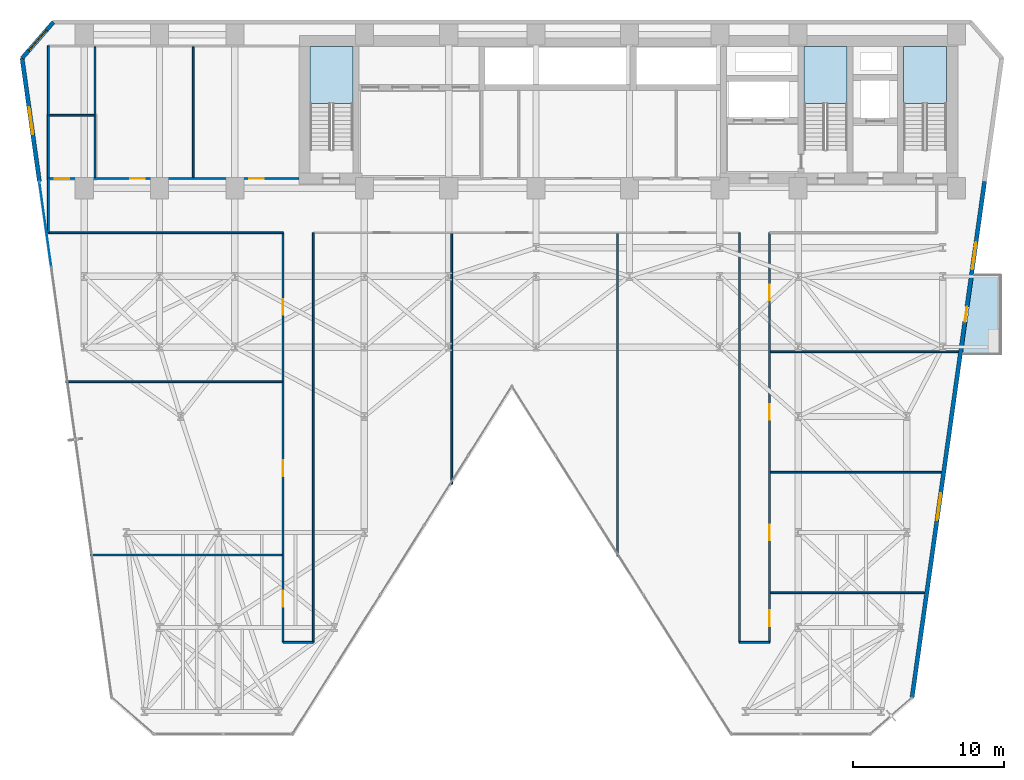
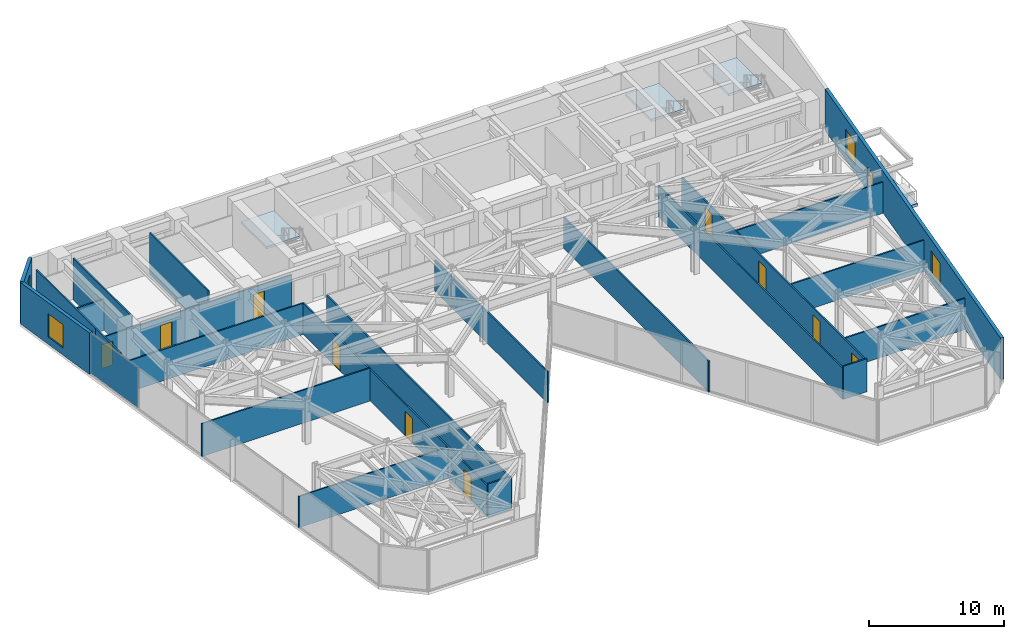
# One storey, part 19 of 25: 23 walls, 11 doors, 4 slabs, 4 windows, 1 plate, 15 openings, 4 elements without a shape of their own.
"""IFC4 building model written with IfcOpenShell, lengths in metres."""

import ifcopenshell
import ifcopenshell.guid

model = None  # the IFC model being written
_history = None  # IfcOwnerHistory: only IFC2X3 demands one
_inside = {}  # id of a spatial element -> (the spatial element, [elements in it])
_under = {}  # id of a project, library or spatial element -> (it, [spatial elements below it])
_declared = {}  # id of a project -> (the project, [libraries it declares])
_typed = {}  # id of a type object -> (the type object, [elements of that type])
_made_of = {}  # id of a material, layer set ... -> (it, [elements and type objects made of it])


def new_model(schema):
    """Start an empty IFC model of exactly this schema.

    Asked for "IFC4X3", IfcOpenShell would pick the latest addendum, in which some entities
    have other attributes; the version numbers below select the first issue.
    IFC2X3 requires an IfcOwnerHistory on every rooted entity: one is made here for all.
    """
    global model, _history
    if schema == "IFC4X3":
        model = ifcopenshell.file(schema_version=(4, 3, 0, 0))
    else:
        model = ifcopenshell.file(schema=schema)
    _inside.clear()
    _under.clear()
    _declared.clear()
    _typed.clear()
    _made_of.clear()
    _history = None
    if model.schema == "IFC2X3":
        org = make("IfcOrganization", Name="unknown")
        user = make(
            "IfcPersonAndOrganization",
            ThePerson=make("IfcPerson", FamilyName="unknown"),
            TheOrganization=org,
        )
        app = make(
            "IfcApplication",
            ApplicationDeveloper=org,
            Version="unknown",
            ApplicationFullName="unknown",
            ApplicationIdentifier="unknown",
        )
        _history = make(
            "IfcOwnerHistory",
            OwningUser=user,
            OwningApplication=app,
            ChangeAction="ADDED",
            CreationDate=0,
        )
    return model


def make(cls, **values):
    """One entity of the class cls with the attributes given. An attribute that is None is left unset."""
    return model.create_entity(
        cls, **{name: value for name, value in values.items() if value is not None}
    )


def rooted(cls, **values):
    """An entity with a GlobalId (a new one), such as an element, a storey or a relation."""
    return make(cls, GlobalId=ifcopenshell.guid.new(), OwnerHistory=_history, **values)


def si_unit(unit_type, name, prefix=None):
    """IfcSIUnit, for example si_unit("LENGTHUNIT", "METRE", prefix="MILLI")."""
    return make("IfcSIUnit", UnitType=unit_type, Prefix=prefix, Name=name)


def assignment(units):
    """IfcUnitAssignment: the units of a project."""
    return None if units is None else make("IfcUnitAssignment", Units=units)


def point(xyz):
    """IfcCartesianPoint."""
    return None if xyz is None else make("IfcCartesianPoint", Coordinates=xyz)


def direction(xyz):
    """IfcDirection."""
    return None if xyz is None else make("IfcDirection", DirectionRatios=xyz)


def frame(location, z_axis=None, x_axis=None):
    """IfcAxis2Placement3D, a coordinate frame: its origin and axes. An axis left out is left unset."""
    return make(
        "IfcAxis2Placement3D",
        Location=point(location),
        Axis=direction(z_axis),
        RefDirection=direction(x_axis),
    )


def frame_2d(location, x_axis=None):
    """IfcAxis2Placement2D, a coordinate frame in the plane: its origin and x axis."""
    return make(
        "IfcAxis2Placement2D", Location=point(location), RefDirection=direction(x_axis)
    )


def origin():
    """The frame at (0, 0, 0) with its axes left unset."""
    return frame((0.0, 0.0, 0.0))


def origin_2d():
    """The frame at (0, 0) in the plane with its x axis left unset."""
    return frame_2d((0.0, 0.0))


def place(relative_to, where):
    """IfcLocalPlacement: puts the frame where relative to a parent placement (None: the world)."""
    return make(
        "IfcLocalPlacement", PlacementRelTo=relative_to, RelativePlacement=where
    )


def context(
    kind, dimensions, precision=None, world=None, true_north=None, identifier=None
):
    """IfcGeometricRepresentationContext, for example the 3D "Model" context."""
    return make(
        "IfcGeometricRepresentationContext",
        ContextIdentifier=identifier,
        ContextType=kind,
        CoordinateSpaceDimension=dimensions,
        Precision=precision,
        WorldCoordinateSystem=world,
        TrueNorth=true_north,
    )


def subcontext(parent, identifier, kind, view, scale=None):
    """IfcGeometricRepresentationSubContext, for example "Body" below "Model"."""
    return make(
        "IfcGeometricRepresentationSubContext",
        ContextIdentifier=identifier,
        ContextType=kind,
        ParentContext=parent,
        TargetScale=scale,
        TargetView=view,
    )


def project(units=None, contexts=None):
    """IfcProject with its units and contexts."""
    return rooted(
        "IfcProject",
        Name="project",
        RepresentationContexts=contexts,
        UnitsInContext=assignment(units),
    )


def spatial(cls, under=None, at=None, **own):
    """A site, building, storey or space (cls), placed at a placement, below another one or the project."""
    s = rooted(cls, ObjectPlacement=at, **own)
    if under is not None:
        _under.setdefault(under.id(), (under, []))[1].append(s)
    return s


def polyline(points):
    """IfcPolyline through the points."""
    return make("IfcPolyline", Points=[point(p) for p in points])


def profile(cls, at=None, kind="AREA", **sizes):
    """A parametric profile (cls). Its sizes go by their IFC names, for example OverallWidth=200.0."""
    return make(cls, ProfileType=kind, Position=at, **sizes)


def rectangle(**sizes):
    """IfcRectangleProfileDef."""
    return profile("IfcRectangleProfileDef", **sizes)


def outline(outer, holes=None, kind="AREA"):
    """IfcArbitraryClosedProfileDef: a profile drawn as a closed curve; with holes, ...WithVoids."""
    if holes is None:
        return make("IfcArbitraryClosedProfileDef", ProfileType=kind, OuterCurve=outer)
    return make(
        "IfcArbitraryProfileDefWithVoids",
        ProfileType=kind,
        OuterCurve=outer,
        InnerCurves=holes,
    )


def extrude(swept, where, along, depth):
    """IfcExtrudedAreaSolid: the profile swept, set in the frame where, extruded along a direction by depth."""
    return make(
        "IfcExtrudedAreaSolid",
        SweptArea=swept,
        Position=where,
        ExtrudedDirection=direction(along),
        Depth=depth,
    )


def shape(context_of_items, identifier, shape_type, items):
    """IfcShapeRepresentation: the items that make up one representation, for example the "Body"."""
    return make(
        "IfcShapeRepresentation",
        ContextOfItems=context_of_items,
        RepresentationIdentifier=identifier,
        RepresentationType=shape_type,
        Items=items,
    )


def material(Name=None, Category=None):
    """IfcMaterial."""
    return make("IfcMaterial", Name=Name, Category=Category)


def layer(
    of_material, thickness, ventilated=None, Name=None, Category=None, Priority=None
):
    """IfcMaterialLayer: one layer of a wall or slab, of a material (None: an air gap)."""
    return make(
        "IfcMaterialLayer",
        Material=of_material,
        LayerThickness=thickness,
        IsVentilated=ventilated,
        Name=Name,
        Category=Category,
        Priority=Priority,
    )


def layer_set(layers, Name=None):
    """IfcMaterialLayerSet."""
    return make("IfcMaterialLayerSet", MaterialLayers=layers, LayerSetName=Name)


def made_of(thing, what):
    """Note that an element or type object is made of a material, layer set ...; save() writes the relation."""
    if what is not None:
        _made_of.setdefault(what.id(), (what, []))[1].append(thing)
    return thing


def type_object(cls, material=None, **own):
    """A type object (cls), such as IfcWallType, which elements share."""
    return made_of(rooted(cls, **own), material)


def element(
    cls,
    number,
    at=None,
    inside=None,
    cuts=None,
    type_object=None,
    material=None,
    context=None,
    identifier="Body",
    shape_type=None,
    held_by="IfcProductDefinitionShape",
    body=None,
    shapes=None,
    **own,
):
    """One element of the class cls, such as IfcWall. Its Tag is "e" and its number.

    at: its placement. inside: the storey or other place that contains it. cuts: it is an
    opening in that element (IfcRelVoidsElement). A single representation is given by context,
    identifier, shape_type and body (its items); several are given by shapes. held_by: the class
    of the entity that holds the representations. save() writes the other relations.
    """
    e = rooted(cls, Tag="e%d" % number, ObjectPlacement=at, **own)
    if body is not None:
        shapes = [shape(context, identifier, shape_type, body)]
    if shapes is not None:
        e.Representation = make(held_by, Representations=shapes)
    if inside is not None:
        _inside.setdefault(inside.id(), (inside, []))[1].append(e)
    if cuts is not None:
        rooted(
            "IfcRelVoidsElement", RelatingBuildingElement=cuts, RelatedOpeningElement=e
        )
    if type_object is not None:
        _typed.setdefault(type_object.id(), (type_object, []))[1].append(e)
    return made_of(e, material)


def fill(opening, filler):
    """IfcRelFillsElement: the door or window that sits in an opening."""
    return rooted(
        "IfcRelFillsElement",
        RelatingOpeningElement=opening,
        RelatedBuildingElement=filler,
    )


def aggregate(whole, parts):
    """IfcRelAggregates: a whole, such as a stair, and the parts it consists of."""
    return rooted("IfcRelAggregates", RelatingObject=whole, RelatedObjects=parts)


def save(model, path):
    """Write the relations noted so far, then the file.

    IfcRelAggregates (storeys below a building ...), IfcRelContainedInSpatialStructure (elements
    in a storey), IfcRelDefinesByType, IfcRelAssociatesMaterial and IfcRelDeclares: one each for
    every whole, place, type object, material and project.
    """
    for whole, parts in _under.values():
        aggregate(whole, parts)
    for where, things in _inside.values():
        rooted(
            "IfcRelContainedInSpatialStructure",
            RelatedElements=things,
            RelatingStructure=where,
        )
    for kind, things in _typed.values():
        rooted("IfcRelDefinesByType", RelatedObjects=things, RelatingType=kind)
    for what, things in _made_of.values():
        rooted("IfcRelAssociatesMaterial", RelatedObjects=things, RelatingMaterial=what)
    for by, libraries in _declared.values():
        rooted("IfcRelDeclares", RelatingContext=by, RelatedDefinitions=libraries)
    model.write(path)


model = new_model("IFC4")

# Units and contexts
model_context = context("Model", 3, precision=1e-05, world=origin(), true_north=direction((0.0, 1.0)))
body_context = subcontext(model_context, "Body", "Model", "MODEL_VIEW")
ifc_project = project(units=[si_unit("LENGTHUNIT", "METRE"), si_unit("AREAUNIT", "SQUARE_METRE"), si_unit("VOLUMEUNIT", "CUBIC_METRE"), si_unit("PLANEANGLEUNIT", "RADIAN"), si_unit("MASSUNIT", "GRAM", prefix="KILO")], contexts=[model_context])

# Site, building, storey
site_placement = place(None, origin())
site = spatial("IfcSite", under=ifc_project, at=site_placement, CompositionType="ELEMENT")
building_placement = place(site_placement, origin())
building = spatial("IfcBuilding", under=site, at=building_placement, Name="Kravanh Interchange Tower", CompositionType="ELEMENT")
storey_placement = place(building_placement, frame((0.0, 0.0, 41.5)))
storey = spatial("IfcBuildingStorey", under=building, at=storey_placement, Name="L09", CompositionType="ELEMENT", Elevation=41.5)

# Stair, slab
ifc_material_1 = material(Name="Concrete C50/60", Category="concrete")
stair_type = type_object("IfcStairType", Name="Core Fire Exit Dogleg Stair Concrete C50/60", PredefinedType="HALF_TURN_STAIR", material=ifc_material_1)
stair_1_placement = place(storey_placement, origin())
stair_1 = element("IfcStair", 1, at=stair_1_placement, inside=storey, type_object=stair_type, Name="L09 Exit Stair ST1", PredefinedType="HALF_TURN_STAIR")
ifc_material_2 = material(Name="Concrete C50/60", Category="concrete")
ifc_layer_1 = layer(ifc_material_2, 0.199951171875)
ifc_layer_set_1 = layer_set([ifc_layer_1], Name="Concrete C50/60 Stair Half-Landing Slab 200mm")
slab_type_1 = type_object("IfcSlabType", Name="Concrete C50/60 Stair Half-Landing Slab 200mm", PredefinedType="LANDING", material=ifc_layer_set_1)
slab_1_placement = place(storey_placement, frame((0.0, 0.0, 1.800048828125)))
slab_1 = element("IfcSlab", 2, at=slab_1_placement, type_object=slab_type_1, Name="ST1 landing 1", PredefinedType="LANDING", context=body_context, shape_type="SweptSolid", body=[
    extrude(outline(polyline([(65.85009765625, 42.97998046875), (65.85009765625, 46.75), (63.0, 46.75), (63.0, 42.97998046875), (65.85009765625, 42.97998046875)])), origin(), (0.0, 0.0, 1.0), 0.199951171875),
])
aggregate(stair_1, [slab_1])

stair_2_placement = place(storey_placement, origin())
stair_2 = element("IfcStair", 3, at=stair_2_placement, inside=storey, type_object=stair_type, Name="L09 Exit Stair ST2", PredefinedType="HALF_TURN_STAIR")
slab_2_placement = place(storey_placement, frame((0.0, 0.0, 1.800048828125)))
slab_2 = element("IfcSlab", 4, at=slab_2_placement, type_object=slab_type_1, Name="ST2 landing 1", PredefinedType="LANDING", context=body_context, shape_type="SweptSolid", body=[
    extrude(outline(polyline([(59.25, 42.97998046875), (59.25, 46.75), (56.39990234375, 46.75), (56.39990234375, 42.97998046875), (59.25, 42.97998046875)])), origin(), (0.0, 0.0, 1.0), 0.199951171875),
])
aggregate(stair_2, [slab_2])

stair_3_placement = place(storey_placement, origin())
stair_3 = element("IfcStair", 5, at=stair_3_placement, inside=storey, type_object=stair_type, Name="L09 Exit Stair ST3", PredefinedType="HALF_TURN_STAIR")
slab_3_placement = place(storey_placement, frame((0.0, 0.0, 1.800048828125)))
slab_3 = element("IfcSlab", 6, at=slab_3_placement, type_object=slab_type_1, Name="ST3 landing 1", PredefinedType="LANDING", context=body_context, shape_type="SweptSolid", body=[
    extrude(outline(polyline([(26.449951171875, 42.97998046875), (26.449951171875, 46.75), (23.60009765625, 46.75), (23.60009765625, 42.97998046875), (26.449951171875, 42.97998046875)])), origin(), (0.0, 0.0, 1.0), 0.199951171875),
])
aggregate(stair_3, [slab_3])

# Slab
ifc_material_3 = material(Name="Concrete C50/60", Category="concrete")
ifc_layer_2 = layer(ifc_material_3, 0.199951171875)
ifc_layer_set_2 = layer_set([ifc_layer_2], Name="Planted Tree Balcony Slab Concrete C50/60 200mm")
slab_type_2 = type_object("IfcSlabType", Name="Planted Tree Balcony Slab Concrete C50/60 200mm", PredefinedType="USERDEFINED", material=ifc_layer_set_2)
slab_4_placement = place(storey_placement, frame((0.0, 0.0, -0.260009765625)))
element("IfcSlab", 7, at=slab_4_placement, inside=storey, type_object=slab_type_2, Name="L09 East Tree Planter Balcony Slab", ObjectType="BALCONY", PredefinedType="USERDEFINED", context=body_context, shape_type="SweptSolid", body=[
    extrude(outline(polyline([(69.485107421875, 31.669921875), (69.485107421875, 26.27001953125), (66.890869140625, 26.27001953125), (67.64990234375, 31.669921875), (69.485107421875, 31.669921875)])), origin(), (0.0, 0.0, 1.0), 0.260009765625),
])

# Curtain wall, plate
ifc_material_4 = material(Name="Anodised Bronze Aluminium", Category="aluminium")
ifc_layer_3 = layer(ifc_material_4, 0.179931640625)
ifc_layer_set_3 = layer_set([ifc_layer_3], Name="Unitised Curtain Wall System CW-Z1 Lower Office")
curtain_wall_type = type_object("IfcCurtainWallType", Name="Unitised Curtain Wall System CW-Z1 Lower Office", PredefinedType="NOTDEFINED", material=ifc_layer_set_3)
curtain_wall_placement = place(storey_placement, origin())
curtain_wall = element("IfcCurtainWall", 8, at=curtain_wall_placement, inside=storey, type_object=curtain_wall_type, Name="L09 Unitised Curtain Wall CW-L09-01", PredefinedType="NOTDEFINED")
ifc_material_5 = material(Name="Low-E Laminated Architectural Glass", Category="glass")
ifc_layer_4 = layer(ifc_material_5, 0.028076171875)
ifc_layer_set_4 = layer_set([ifc_layer_4], Name="Solar-Control Double Glazing 28mm")
plate_type = type_object("IfcPlateType", Name="Solar-Control Double Glazing 28mm", PredefinedType="CURTAIN_PANEL", material=ifc_layer_set_4)
plate_placement = place(storey_placement, frame((6.028564453125, 34.927490234375, 0.06005859375), z_axis=(0.0, 0.0, 1.0), x_axis=(-0.139176538065, 0.990267585682, 0.0)))
plate = element("IfcPlate", 9, at=plate_placement, type_object=plate_type, Name="CW-Z1 panel 6.1", PredefinedType="CURTAIN_PANEL", context=body_context, shape_type="SweptSolid", body=[
    extrude(rectangle(XDim=5.66162109375, YDim=0.028076171875, at=origin_2d()), origin(), (0.0, 0.0, 1.0), 3.6201171875),
])
aggregate(curtain_wall, [plate])

# Wall, openings, doors
ifc_material_6 = material(Name="Double Acoustic Gypsum Board and Mineral Wool")
ifc_layer_5 = layer(ifc_material_6, 0.1201171875)
ifc_layer_set_5 = layer_set([ifc_layer_5], Name="Acoustic Office Drywall Partition 120mm")
wall_type_1 = type_object("IfcWallType", Name="Acoustic Office Drywall Partition 120mm", PredefinedType="PARTITIONING", material=ifc_layer_set_5)
wall_1_placement = place(storey_placement, frame((6.219970703125, 38.0, 0.0), z_axis=(0.0, 0.0, 1.0), x_axis=(1.0, 0.0, 0.0)))
wall_1 = element("IfcWall", 10, at=wall_1_placement, inside=storey, type_object=wall_type_1, Name="L09 Restroom Corridor Wall 7", PredefinedType="PARTITIONING", context=body_context, shape_type="SweptSolid", body=[
    extrude(rectangle(XDim=16.630126953125, YDim=0.1201171875, at=frame_2d((8.31494140625, 0.0))), origin(), (0.0, 0.0, 1.0), 2.81298828125),
])
opening_1_placement = place(wall_1_placement, frame((0.424072265625, 0.0, 0.0)))
opening_1 = element("IfcOpeningElement", 11, at=opening_1_placement, cuts=wall_1, Name="Opening D-95", PredefinedType="OPENING", context=body_context, shape_type="SweptSolid", body=[
    extrude(rectangle(XDim=0.949951171875, YDim=2.14990234375, at=frame_2d((0.47509765625, 1.074951171875))), frame((0.0, 0.070068359375, 0.0), z_axis=(0.0, -1.0, 0.0), x_axis=(1.0, 0.0, 0.0)), (0.0, 0.0, 1.0), 0.14013671875),
])
opening_2_placement = place(wall_1_placement, frame((5.444091796875, 0.0, 0.0)))
opening_2 = element("IfcOpeningElement", 12, at=opening_2_placement, cuts=wall_1, Name="Opening D-95", PredefinedType="OPENING", context=body_context, shape_type="SweptSolid", body=[
    extrude(rectangle(XDim=0.949951171875, YDim=2.14990234375, at=frame_2d((0.47509765625, 1.074951171875))), frame((0.0, 0.070068359375, 0.0), z_axis=(0.0, -1.0, 0.0), x_axis=(1.0, 0.0, 0.0)), (0.0, 0.0, 1.0), 0.14013671875),
])
opening_3_placement = place(wall_1_placement, frame((13.343994140625, 0.0, 0.0)))
opening_3 = element("IfcOpeningElement", 13, at=opening_3_placement, cuts=wall_1, Name="Opening D-95", PredefinedType="OPENING", context=body_context, shape_type="SweptSolid", body=[
    extrude(rectangle(XDim=0.949951171875, YDim=2.14990234375, at=frame_2d((0.47509765625, 1.074951171875))), frame((0.0, 0.070068359375, 0.0), z_axis=(0.0, -1.0, 0.0), x_axis=(1.0, 0.0, 0.0)), (0.0, 0.0, 1.0), 0.14013671875),
])
ifc_material_7 = material(Name="Laminate Solid-Core Timber", Category="wood")
door_type_1 = type_object("IfcDoorType", Name="Accessible Restroom Door 950x2150", OperationType="NOTDEFINED", PredefinedType="DOOR", material=ifc_material_7)
door_1_placement = place(opening_1_placement, origin())
door_1 = element("IfcDoor", 14, at=door_1_placement, inside=storey, type_object=door_type_1, Name="L09 Accessible WC Door", OperationType="SINGLE_SWING_RIGHT", OverallHeight=2.14990234375, OverallWidth=0.949951171875, PredefinedType="DOOR", context=body_context, shape_type="SweptSolid", body=[
    extrude(rectangle(XDim=0.949951171875, YDim=2.14990234375, at=frame_2d((0.47509765625, 1.074951171875))), frame((0.0, 0.02490234375, 0.0), z_axis=(0.0, -1.0, 0.0), x_axis=(1.0, 0.0, 0.0)), (0.0, 0.0, 1.0), 0.050048828125),
])
fill(opening_1, door_1)
door_2_placement = place(opening_2_placement, origin())
door_2 = element("IfcDoor", 15, at=door_2_placement, inside=storey, type_object=door_type_1, Name="L09 Female WC Door", OperationType="SINGLE_SWING_LEFT", OverallHeight=2.14990234375, OverallWidth=0.949951171875, PredefinedType="DOOR", context=body_context, shape_type="SweptSolid", body=[
    extrude(rectangle(XDim=0.949951171875, YDim=2.14990234375, at=frame_2d((0.47509765625, 1.074951171875))), frame((0.0, 0.02490234375, 0.0), z_axis=(0.0, -1.0, 0.0), x_axis=(1.0, 0.0, 0.0)), (0.0, 0.0, 1.0), 0.050048828125),
])
fill(opening_2, door_2)
door_3_placement = place(opening_3_placement, origin())
door_3 = element("IfcDoor", 16, at=door_3_placement, inside=storey, type_object=door_type_1, Name="L09 Male WC Door", OperationType="SINGLE_SWING_RIGHT", OverallHeight=2.14990234375, OverallWidth=0.949951171875, PredefinedType="DOOR", context=body_context, shape_type="SweptSolid", body=[
    extrude(rectangle(XDim=0.949951171875, YDim=2.14990234375, at=frame_2d((0.47509765625, 1.074951171875))), frame((0.0, 0.02490234375, 0.0), z_axis=(0.0, -1.0, 0.0), x_axis=(1.0, 0.0, 0.0)), (0.0, 0.0, 1.0), 0.050048828125),
])
fill(opening_3, door_3)

# Walls
wall_2_placement = place(storey_placement, frame((6.219970703125, 38.0, 0.0), z_axis=(0.0, 0.0, 1.0), x_axis=(0.0, 1.0, 0.0)))
element("IfcWall", 17, at=wall_2_placement, inside=storey, type_object=wall_type_1, Name="L09 Restroom West Enclosure 8", PredefinedType="PARTITIONING", context=body_context, shape_type="SweptSolid", body=[
    extrude(rectangle(XDim=8.800048828125, YDim=0.1201171875, at=frame_2d((4.39990234375, 0.0))), origin(), (0.0, 0.0, 1.0), 3.739990234375),
])
for number, where, z_axis, x_axis, name in (
    (18, (9.320068359375, 38.068115234375, 0.0), (0.0, 0.0, 1.0), (0.0, 1.0, 0.0), "L09 Interior Partition 10"),
    (19, (15.840087890625, 38.068115234375, 0.0), (0.0, 0.0, 1.0), (0.0, 1.0, 0.0), "L09 Interior Partition 11"),
):
    element("IfcWall", number, at=place(storey_placement, frame(where, z_axis=z_axis, x_axis=x_axis)), inside=storey, type_object=wall_type_1, Name=name, PredefinedType="PARTITIONING", context=body_context, shape_type="SweptSolid", body=[
        extrude(rectangle(XDim=8.663818359375, YDim=0.1201171875, at=frame_2d((4.33203125, 0.0))), origin(), (0.0, 0.0, 1.0), 3.739990234375),
    ])
wall_3_placement = place(storey_placement, frame((6.2880859375, 42.199951171875, 0.0), z_axis=(0.0, 0.0, 1.0), x_axis=(1.0, 0.0, 0.0)))
element("IfcWall", 20, at=wall_3_placement, inside=storey, type_object=wall_type_1, Name="L09 Interior Partition 12", PredefinedType="PARTITIONING", context=body_context, shape_type="SweptSolid", body=[
    extrude(rectangle(XDim=2.9638671875, YDim=0.1201171875, at=frame_2d((1.48193359375, 0.0))), origin(), (0.0, 0.0, 1.0), 2.81298828125),
])
wall_4_placement = place(storey_placement, frame((6.219970703125, 34.39990234375, 0.0), z_axis=(0.0, 0.0, 1.0), x_axis=(1.0, 0.0, 0.0)))
element("IfcWall", 21, at=wall_4_placement, inside=storey, type_object=wall_type_1, Name="L09 Interior Partition 13", PredefinedType="PARTITIONING", context=body_context, shape_type="SweptSolid", body=[
    extrude(rectangle(XDim=15.580078125, YDim=0.1201171875, at=frame_2d((7.7900390625, 0.0))), origin(), (0.0, 0.0, 1.0), 2.81298828125),
])
wall_5_placement = place(storey_placement, frame((6.219970703125, 34.39990234375, 0.0), z_axis=(0.0, 0.0, 1.0), x_axis=(0.0, 1.0, 0.0)))
element("IfcWall", 22, at=wall_5_placement, inside=storey, type_object=wall_type_1, Name="L09 Interior Partition 16", PredefinedType="PARTITIONING", context=body_context, shape_type="SweptSolid", body=[
    extrude(rectangle(XDim=3.650146484375, YDim=0.1201171875, at=frame_2d((1.8251953125, 0.0))), origin(), (0.0, 0.0, 1.0), 3.739990234375),
])

# Wall, openings, doors
wall_6_placement = place(storey_placement, frame((21.800048828125, 7.199951171875, 0.0), z_axis=(0.0, 0.0, 1.0), x_axis=(0.0, 1.0, 0.0)))
wall_6 = element("IfcWall", 23, at=wall_6_placement, inside=storey, type_object=wall_type_1, Name="L09 Interior Partition 18", PredefinedType="PARTITIONING", context=body_context, shape_type="SweptSolid", body=[
    extrude(rectangle(XDim=27.199951171875, YDim=0.1201171875, at=frame_2d((13.60009765625, 0.0))), origin(), (0.0, 0.0, 1.0), 2.81298828125),
])
opening_4_placement = place(wall_6_placement, frame((2.375, 0.0, 0.0)))
opening_4 = element("IfcOpeningElement", 24, at=opening_4_placement, cuts=wall_6, Name="Opening D-105", PredefinedType="OPENING", context=body_context, shape_type="SweptSolid", body=[
    extrude(rectangle(XDim=1.050048828125, YDim=2.199951171875, at=frame_2d((0.52490234375, 1.10009765625))), frame((0.0, 0.070068359375, 0.0), z_axis=(0.0, -1.0, 0.0), x_axis=(1.0, 0.0, 0.0)), (0.0, 0.0, 1.0), 0.14013671875),
])
opening_5_placement = place(wall_6_placement, frame((11.02490234375, 0.0, 0.0)))
opening_5 = element("IfcOpeningElement", 25, at=opening_5_placement, cuts=wall_6, Name="Opening D-105", PredefinedType="OPENING", context=body_context, shape_type="SweptSolid", body=[
    extrude(rectangle(XDim=1.050048828125, YDim=2.199951171875, at=frame_2d((0.52490234375, 1.10009765625))), frame((0.0, 0.070068359375, 0.0), z_axis=(0.0, -1.0, 0.0), x_axis=(1.0, 0.0, 0.0)), (0.0, 0.0, 1.0), 0.14013671875),
])
opening_6_placement = place(wall_6_placement, frame((21.740234375, 0.0, 0.0)))
opening_6 = element("IfcOpeningElement", 26, at=opening_6_placement, cuts=wall_6, Name="Opening D-105", PredefinedType="OPENING", context=body_context, shape_type="SweptSolid", body=[
    extrude(rectangle(XDim=1.050048828125, YDim=2.199951171875, at=frame_2d((0.52490234375, 1.10009765625))), frame((0.0, 0.070068359375, 0.0), z_axis=(0.0, -1.0, 0.0), x_axis=(1.0, 0.0, 0.0)), (0.0, 0.0, 1.0), 0.14013671875),
])
ifc_material_8 = material(Name="Acoustic Glazed Oak and Aluminium", Category="aluminium")
door_type_2 = type_object("IfcDoorType", Name="Office Workplace Door 1050x2200", OperationType="NOTDEFINED", PredefinedType="DOOR", material=ifc_material_8)
door_4_placement = place(opening_4_placement, origin())
door_4 = element("IfcDoor", 27, at=door_4_placement, inside=storey, type_object=door_type_2, Name="L09 SW Seminar Meeting Room Door", OperationType="SINGLE_SWING_LEFT", OverallHeight=2.199951171875, OverallWidth=1.050048828125, PredefinedType="DOOR", context=body_context, shape_type="SweptSolid", body=[
    extrude(rectangle(XDim=1.050048828125, YDim=2.199951171875, at=frame_2d((0.52490234375, 1.10009765625))), frame((0.0, 0.02490234375, 0.0), z_axis=(0.0, -1.0, 0.0), x_axis=(1.0, 0.0, 0.0)), (0.0, 0.0, 1.0), 0.050048828125),
])
fill(opening_4, door_4)
door_5_placement = place(opening_5_placement, origin())
door_5 = element("IfcDoor", 28, at=door_5_placement, inside=storey, type_object=door_type_2, Name="L09 West Balcony Lounge Door", OperationType="SINGLE_SWING_RIGHT", OverallHeight=2.199951171875, OverallWidth=1.050048828125, PredefinedType="DOOR", context=body_context, shape_type="SweptSolid", body=[
    extrude(rectangle(XDim=1.050048828125, YDim=2.199951171875, at=frame_2d((0.52490234375, 1.10009765625))), frame((0.0, 0.02490234375, 0.0), z_axis=(0.0, -1.0, 0.0), x_axis=(1.0, 0.0, 0.0)), (0.0, 0.0, 1.0), 0.050048828125),
])
fill(opening_5, door_5)
door_6_placement = place(opening_6_placement, origin())
door_6 = element("IfcDoor", 29, at=door_6_placement, inside=storey, type_object=door_type_2, Name="L09 NW Caucus Meeting Room Door", OperationType="SINGLE_SWING_LEFT", OverallHeight=2.199951171875, OverallWidth=1.050048828125, PredefinedType="DOOR", context=body_context, shape_type="SweptSolid", body=[
    extrude(rectangle(XDim=1.050048828125, YDim=2.199951171875, at=frame_2d((0.52490234375, 1.10009765625))), frame((0.0, 0.02490234375, 0.0), z_axis=(0.0, -1.0, 0.0), x_axis=(1.0, 0.0, 0.0)), (0.0, 0.0, 1.0), 0.050048828125),
])
fill(opening_6, door_6)

# Walls
wall_7_placement = place(storey_placement, frame((23.800048828125, 7.199951171875, 0.0), z_axis=(0.0, 0.0, 1.0), x_axis=(0.0, 1.0, 0.0)))
element("IfcWall", 30, at=wall_7_placement, inside=storey, type_object=wall_type_1, Name="L09 Interior Partition 19", PredefinedType="PARTITIONING", context=body_context, shape_type="SweptSolid", body=[
    extrude(rectangle(XDim=27.199951171875, YDim=0.1201171875, at=frame_2d((13.60009765625, 0.0))), origin(), (0.0, 0.0, 1.0), 2.81298828125),
])
wall_8_placement = place(storey_placement, frame((21.800048828125, 7.199951171875, 0.0), z_axis=(0.0, 0.0, 1.0), x_axis=(1.0, 0.0, 0.0)))
element("IfcWall", 31, at=wall_8_placement, inside=storey, type_object=wall_type_1, Name="L09 Interior Partition 20", PredefinedType="PARTITIONING", context=body_context, shape_type="SweptSolid", body=[
    extrude(rectangle(XDim=2.0, YDim=0.1201171875, at=frame_2d((1.0, 0.0))), origin(), (0.0, 0.0, 1.0), 2.97802734375),
])
wall_9_placement = place(storey_placement, frame((52.10009765625, 7.199951171875, 0.0), z_axis=(0.0, 0.0, 1.0), x_axis=(0.0, 1.0, 0.0)))
element("IfcWall", 32, at=wall_9_placement, inside=storey, type_object=wall_type_1, Name="L09 Interior Partition 21", PredefinedType="PARTITIONING", context=body_context, shape_type="SweptSolid", body=[
    extrude(rectangle(XDim=27.199951171875, YDim=0.1201171875, at=frame_2d((13.60009765625, 0.0))), origin(), (0.0, 0.0, 1.0), 2.81298828125),
])

# Wall, openings, doors
wall_10_placement = place(storey_placement, frame((54.10009765625, 7.199951171875, 0.0), z_axis=(0.0, 0.0, 1.0), x_axis=(0.0, 1.0, 0.0)))
wall_10 = element("IfcWall", 33, at=wall_10_placement, inside=storey, type_object=wall_type_1, Name="L09 Interior Partition 22", PredefinedType="PARTITIONING", context=body_context, shape_type="SweptSolid", body=[
    extrude(rectangle(XDim=27.199951171875, YDim=0.1201171875, at=frame_2d((13.60009765625, 0.0))), origin(), (0.0, 0.0, 1.0), 2.81298828125),
])
opening_7_placement = place(wall_10_placement, frame((1.083984375, 0.0, 0.0)))
opening_7 = element("IfcOpeningElement", 34, at=opening_7_placement, cuts=wall_10, Name="Opening D-105", PredefinedType="OPENING", context=body_context, shape_type="SweptSolid", body=[
    extrude(rectangle(XDim=1.050048828125, YDim=2.199951171875, at=frame_2d((0.52490234375, 1.10009765625))), frame((0.0, 0.070068359375, 0.0), z_axis=(0.0, -1.0, 0.0), x_axis=(1.0, 0.0, 0.0)), (0.0, 0.0, 1.0), 0.14013671875),
])
opening_8_placement = place(wall_10_placement, frame((6.77490234375, 0.0, 0.0)))
opening_8 = element("IfcOpeningElement", 35, at=opening_8_placement, cuts=wall_10, Name="Opening D-105", PredefinedType="OPENING", context=body_context, shape_type="SweptSolid", body=[
    extrude(rectangle(XDim=1.050048828125, YDim=2.199951171875, at=frame_2d((0.52490234375, 1.10009765625))), frame((0.0, 0.070068359375, 0.0), z_axis=(0.0, -1.0, 0.0), x_axis=(1.0, 0.0, 0.0)), (0.0, 0.0, 1.0), 0.14013671875),
])
opening_9_placement = place(wall_10_placement, frame((14.77490234375, 0.0, 0.0)))
opening_9 = element("IfcOpeningElement", 36, at=opening_9_placement, cuts=wall_10, Name="Opening D-105", PredefinedType="OPENING", context=body_context, shape_type="SweptSolid", body=[
    extrude(rectangle(XDim=1.050048828125, YDim=2.199951171875, at=frame_2d((0.52490234375, 1.10009765625))), frame((0.0, 0.070068359375, 0.0), z_axis=(0.0, -1.0, 0.0), x_axis=(1.0, 0.0, 0.0)), (0.0, 0.0, 1.0), 0.14013671875),
])
opening_10_placement = place(wall_10_placement, frame((22.699951171875, 0.0, 0.0)))
opening_10 = element("IfcOpeningElement", 37, at=opening_10_placement, cuts=wall_10, Name="Opening D-105", PredefinedType="OPENING", context=body_context, shape_type="SweptSolid", body=[
    extrude(rectangle(XDim=1.050048828125, YDim=2.199951171875, at=frame_2d((0.52490234375, 1.10009765625))), frame((0.0, 0.070068359375, 0.0), z_axis=(0.0, -1.0, 0.0), x_axis=(1.0, 0.0, 0.0)), (0.0, 0.0, 1.0), 0.14013671875),
])
door_7_placement = place(opening_7_placement, origin())
door_7 = element("IfcDoor", 38, at=door_7_placement, inside=storey, type_object=door_type_2, Name="L09 SE Boardroom Door", OperationType="SINGLE_SWING_RIGHT", OverallHeight=2.199951171875, OverallWidth=1.050048828125, PredefinedType="DOOR", context=body_context, shape_type="SweptSolid", body=[
    extrude(rectangle(XDim=1.050048828125, YDim=2.199951171875, at=frame_2d((0.52490234375, 1.10009765625))), frame((0.0, 0.02490234375, 0.0), z_axis=(0.0, -1.0, 0.0), x_axis=(1.0, 0.0, 0.0)), (0.0, 0.0, 1.0), 0.050048828125),
])
fill(opening_7, door_7)
door_8_placement = place(opening_8_placement, origin())
door_8 = element("IfcDoor", 39, at=door_8_placement, inside=storey, type_object=door_type_2, Name="L09 East Client Meeting Room A Door", OperationType="SINGLE_SWING_LEFT", OverallHeight=2.199951171875, OverallWidth=1.050048828125, PredefinedType="DOOR", context=body_context, shape_type="SweptSolid", body=[
    extrude(rectangle(XDim=1.050048828125, YDim=2.199951171875, at=frame_2d((0.52490234375, 1.10009765625))), frame((0.0, 0.02490234375, 0.0), z_axis=(0.0, -1.0, 0.0), x_axis=(1.0, 0.0, 0.0)), (0.0, 0.0, 1.0), 0.050048828125),
])
fill(opening_8, door_8)
door_9_placement = place(opening_9_placement, origin())
door_9 = element("IfcDoor", 40, at=door_9_placement, inside=storey, type_object=door_type_2, Name="L09 East Balcony Office Door", OperationType="SINGLE_SWING_RIGHT", OverallHeight=2.199951171875, OverallWidth=1.050048828125, PredefinedType="DOOR", context=body_context, shape_type="SweptSolid", body=[
    extrude(rectangle(XDim=1.050048828125, YDim=2.199951171875, at=frame_2d((0.52490234375, 1.10009765625))), frame((0.0, 0.02490234375, 0.0), z_axis=(0.0, -1.0, 0.0), x_axis=(1.0, 0.0, 0.0)), (0.0, 0.0, 1.0), 0.050048828125),
])
fill(opening_9, door_9)
door_10_placement = place(opening_10_placement, origin())
door_10 = element("IfcDoor", 41, at=door_10_placement, inside=storey, type_object=door_type_2, Name="L09 East Meeting Room B Door", OperationType="SINGLE_SWING_LEFT", OverallHeight=2.199951171875, OverallWidth=1.050048828125, PredefinedType="DOOR", context=body_context, shape_type="SweptSolid", body=[
    extrude(rectangle(XDim=1.050048828125, YDim=2.199951171875, at=frame_2d((0.52490234375, 1.10009765625))), frame((0.0, 0.02490234375, 0.0), z_axis=(0.0, -1.0, 0.0), x_axis=(1.0, 0.0, 0.0)), (0.0, 0.0, 1.0), 0.050048828125),
])
fill(opening_10, door_10)

# Walls
wall_11_placement = place(storey_placement, frame((52.10009765625, 7.199951171875, 0.0), z_axis=(0.0, 0.0, 1.0), x_axis=(1.0, 0.0, 0.0)))
element("IfcWall", 42, at=wall_11_placement, inside=storey, type_object=wall_type_1, Name="L09 Interior Partition 23", PredefinedType="PARTITIONING", context=body_context, shape_type="SweptSolid", body=[
    extrude(rectangle(XDim=2.0, YDim=0.1201171875, at=frame_2d((1.0, 0.0))), origin(), (0.0, 0.0, 1.0), 2.97802734375),
])
wall_12_placement = place(storey_placement, frame((9.00439453125, 13.0, 0.0), z_axis=(0.0, 0.0, 1.0), x_axis=(1.0, 0.0, 0.0)))
element("IfcWall", 43, at=wall_12_placement, inside=storey, type_object=wall_type_1, Name="L09 Interior Partition 24", PredefinedType="PARTITIONING", context=body_context, shape_type="SweptSolid", body=[
    extrude(rectangle(XDim=12.7275390625, YDim=0.1201171875, at=frame_2d((6.36376953125, 0.0))), origin(), (0.0, 0.0, 1.0), 2.81298828125),
])
wall_13_placement = place(storey_placement, frame((7.38818359375, 24.5, 0.0), z_axis=(0.0, 0.0, 1.0), x_axis=(1.0, 0.0, 0.0)))
element("IfcWall", 44, at=wall_13_placement, inside=storey, type_object=wall_type_1, Name="L09 Interior Partition 25", PredefinedType="PARTITIONING", context=body_context, shape_type="SweptSolid", body=[
    extrude(rectangle(XDim=14.34375, YDim=0.1201171875, at=frame_2d((7.171875, 0.0))), origin(), (0.0, 0.0, 1.0), 2.97802734375),
])
wall_14_placement = place(storey_placement, frame((54.16796875, 10.5, 0.0), z_axis=(0.0, 0.0, 1.0), x_axis=(1.0, 0.0, 0.0)))
element("IfcWall", 45, at=wall_14_placement, inside=storey, type_object=wall_type_1, Name="L09 Interior Partition 26", PredefinedType="PARTITIONING", context=body_context, shape_type="SweptSolid", body=[
    extrude(rectangle(XDim=10.20361328125, YDim=0.1201171875, at=frame_2d((5.101806640625, 0.0))), origin(), (0.0, 0.0, 1.0), 2.81298828125),
])
wall_15_placement = place(storey_placement, frame((54.16796875, 18.5, 0.0), z_axis=(0.0, 0.0, 1.0), x_axis=(1.0, 0.0, 0.0)))
element("IfcWall", 46, at=wall_15_placement, inside=storey, type_object=wall_type_1, Name="L09 Interior Partition 27", PredefinedType="PARTITIONING", context=body_context, shape_type="SweptSolid", body=[
    extrude(rectangle(XDim=11.328125, YDim=0.1201171875, at=frame_2d((5.6640625, 0.0))), origin(), (0.0, 0.0, 1.0), 2.81298828125),
])
wall_16_placement = place(storey_placement, frame((54.16796875, 26.5, 0.0), z_axis=(0.0, 0.0, 1.0), x_axis=(1.0, 0.0, 0.0)))
element("IfcWall", 47, at=wall_16_placement, inside=storey, type_object=wall_type_1, Name="L09 Interior Partition 28", PredefinedType="PARTITIONING", context=body_context, shape_type="SweptSolid", body=[
    extrude(rectangle(XDim=12.452392578125, YDim=0.1201171875, at=frame_2d((6.22607421875, 0.0))), origin(), (0.0, 0.0, 1.0), 2.81298828125),
])
wall_17_placement = place(storey_placement, frame((33.0, 17.683349609375, 0.0), z_axis=(0.0, 0.0, 1.0), x_axis=(0.0, 1.0, 0.0)))
element("IfcWall", 48, at=wall_17_placement, inside=storey, type_object=wall_type_1, Name="L09 Interior Partition 29", PredefinedType="PARTITIONING", context=body_context, shape_type="SweptSolid", body=[
    extrude(rectangle(XDim=16.648681640625, YDim=0.1201171875, at=frame_2d((8.32421875, 0.0))), origin(), (0.0, 0.0, 1.0), 2.81298828125),
])
wall_18_placement = place(storey_placement, frame((44.0, 12.9248046875, 0.0), z_axis=(0.0, 0.0, 1.0), x_axis=(0.0, 1.0, 0.0)))
element("IfcWall", 49, at=wall_18_placement, inside=storey, type_object=wall_type_1, Name="L09 Interior Partition 30", PredefinedType="PARTITIONING", context=body_context, shape_type="SweptSolid", body=[
    extrude(rectangle(XDim=21.4072265625, YDim=0.1201171875, at=frame_2d((10.70361328125, 0.0))), origin(), (0.0, 0.0, 1.0), 2.81298828125),
])

# Wall, opening, window
ifc_material_9 = material(Name="Insulated Precast Concrete C40/50 with Bronze Cladding", Category="concrete")
ifc_layer_6 = layer(ifc_material_9, 0.280029296875)
ifc_layer_set_6 = layer_set([ifc_layer_6], Name="Exterior Insulated Concrete C40/50 Bronze Spandrel Wall 280mm")
wall_type_2 = type_object("IfcWallType", Name="Exterior Insulated Concrete C40/50 Bronze Spandrel Wall 280mm", PredefinedType="STANDARD", material=ifc_layer_set_6)
wall_19_placement = place(storey_placement, frame((5.625, 37.800048828125, 0.0), z_axis=(0.0, 0.0, 1.0), x_axis=(-0.139180172484, 0.990267074878, 0.0)))
wall_19 = element("IfcWall", 50, at=wall_19_placement, inside=storey, type_object=wall_type_2, Name="L09 Exterior Wall 1", PredefinedType="STANDARD", context=body_context, shape_type="SweptSolid", body=[
    extrude(rectangle(XDim=8.267333984375, YDim=0.280029296875, at=frame_2d((4.1337890625, 0.0))), origin(), (0.0, 0.0, 1.0), 3.739990234375),
])
opening_11_placement = place(wall_19_placement, frame((3.1728515625, 0.0, 0.64990234375)))
opening_11 = element("IfcOpeningElement", 51, at=opening_11_placement, cuts=wall_19, Name="Opening WN-180X210", PredefinedType="OPENING", context=body_context, shape_type="SweptSolid", body=[
    extrude(rectangle(XDim=1.800048828125, YDim=2.10009765625, at=frame_2d((0.89990234375, 1.050048828125))), frame((0.0, 0.14990234375, 0.0), z_axis=(0.0, -1.0, 0.0), x_axis=(1.0, 0.0, 0.0)), (0.0, 0.0, 1.0), 0.300048828125),
])
ifc_material_10 = material(Name="Thermally Broken Bronze Aluminium and Low-E Glass", Category="aluminium")
window_type = type_object("IfcWindowType", Name="Tower Pier Window 1800x2100", PartitioningType="SINGLE_PANEL", PredefinedType="WINDOW", material=ifc_material_10)
window_1_placement = place(opening_11_placement, origin())
window_1 = element("IfcWindow", 52, at=window_1_placement, inside=storey, type_object=window_type, Name="L09 Corner Window 1", OverallHeight=2.10009765625, OverallWidth=1.800048828125, PartitioningType="SINGLE_PANEL", PredefinedType="WINDOW", context=body_context, shape_type="SweptSolid", body=[
    extrude(rectangle(XDim=1.800048828125, YDim=2.10009765625, at=frame_2d((0.89990234375, 1.050048828125))), frame((0.0, 0.030029296875, 0.0), z_axis=(0.0, -1.0, 0.0), x_axis=(1.0, 0.0, 0.0)), (0.0, 0.0, 1.0), 0.06005859375),
])
fill(opening_11, window_1)

wall_20_placement = place(storey_placement, frame((4.474365234375, 45.98681640625, 0.0), z_axis=(0.0, 0.0, 1.0), x_axis=(0.656070053895, 0.754699996278, 0.0)))
wall_20 = element("IfcWall", 53, at=wall_20_placement, inside=storey, type_object=wall_type_2, Name="L09 Exterior Wall 2", PredefinedType="STANDARD", context=body_context, shape_type="SweptSolid", body=[
    extrude(rectangle(XDim=3.1708984375, YDim=0.280029296875, at=frame_2d((1.58544921875, 0.0))), origin(), (0.0, 0.0, 1.0), 3.739990234375),
])
opening_12_placement = place(wall_20_placement, frame((0.66650390625, 0.0, 0.64990234375)))
opening_12 = element("IfcOpeningElement", 54, at=opening_12_placement, cuts=wall_20, Name="Opening WN-180X210", PredefinedType="OPENING", context=body_context, shape_type="SweptSolid", body=[
    extrude(rectangle(XDim=1.800048828125, YDim=2.10009765625, at=frame_2d((0.89990234375, 1.050048828125))), frame((0.0, 0.14990234375, 0.0), z_axis=(0.0, -1.0, 0.0), x_axis=(1.0, 0.0, 0.0)), (0.0, 0.0, 1.0), 0.300048828125),
])
window_2_placement = place(opening_12_placement, origin())
window_2 = element("IfcWindow", 55, at=window_2_placement, inside=storey, type_object=window_type, Name="L09 Corner Window 2", OverallHeight=2.10009765625, OverallWidth=1.800048828125, PartitioningType="SINGLE_PANEL", PredefinedType="WINDOW", context=body_context, shape_type="SweptSolid", body=[
    extrude(rectangle(XDim=1.800048828125, YDim=2.10009765625, at=frame_2d((0.89990234375, 1.050048828125))), frame((0.0, 0.030029296875, 0.0), z_axis=(0.0, -1.0, 0.0), x_axis=(1.0, 0.0, 0.0)), (0.0, 0.0, 1.0), 0.06005859375),
])
fill(opening_12, window_2)

# Wall, openings, door, windows
wall_21_placement = place(storey_placement, frame((68.375, 37.800048828125, 0.0), z_axis=(0.0, 0.0, 1.0), x_axis=(-0.139174610616, -0.990267856572, 0.0)))
wall_21 = element("IfcWall", 56, at=wall_21_placement, inside=storey, type_object=wall_type_2, Name="L09 Exterior Wall 6", PredefinedType="STANDARD", context=body_context, shape_type="SweptSolid", body=[
    extrude(rectangle(XDim=34.599853515625, YDim=0.280029296875, at=frame_2d((17.2998046875, 0.0))), origin(), (0.0, 0.0, 1.0), 3.739990234375),
])
opening_13_placement = place(wall_21_placement, frame((8.39990234375, 0.0, 0.0)))
opening_13 = element("IfcOpeningElement", 57, at=opening_13_placement, cuts=wall_21, Name="Opening ED-BAL100", PredefinedType="OPENING", context=body_context, shape_type="SweptSolid", body=[
    extrude(rectangle(XDim=1.0, YDim=2.14990234375, at=frame_2d((0.5, 1.074951171875))), frame((0.0, 0.14990234375, 0.0), z_axis=(0.0, -1.0, 0.0), x_axis=(1.0, 0.0, 0.0)), (0.0, 0.0, 1.0), 0.300048828125),
])
opening_14_placement = place(wall_21_placement, frame((4.09228515625, 0.0, 0.64990234375)))
opening_14 = element("IfcOpeningElement", 58, at=opening_14_placement, cuts=wall_21, Name="Opening WN-180X210", PredefinedType="OPENING", context=body_context, shape_type="SweptSolid", body=[
    extrude(rectangle(XDim=1.800048828125, YDim=2.10009765625, at=frame_2d((0.89990234375, 1.050048828125))), frame((0.0, 0.14990234375, 0.0), z_axis=(0.0, -1.0, 0.0), x_axis=(1.0, 0.0, 0.0)), (0.0, 0.0, 1.0), 0.300048828125),
])
opening_15_placement = place(wall_21_placement, frame((20.902587890625, 0.0, 0.64990234375)))
opening_15 = element("IfcOpeningElement", 59, at=opening_15_placement, cuts=wall_21, Name="Opening WN-180X210", PredefinedType="OPENING", context=body_context, shape_type="SweptSolid", body=[
    extrude(rectangle(XDim=1.800048828125, YDim=2.10009765625, at=frame_2d((0.89990234375, 1.050048828125))), frame((0.0, 0.14990234375, 0.0), z_axis=(0.0, -1.0, 0.0), x_axis=(1.0, 0.0, 0.0)), (0.0, 0.0, 1.0), 0.300048828125),
])
ifc_material_11 = material(Name="Thermally Broken Bronze Aluminium and Laminated Glass", Category="aluminium")
door_type_3 = type_object("IfcDoorType", Name="Balcony Glazed Door 1000x2150", OperationType="NOTDEFINED", PredefinedType="DOOR", material=ifc_material_11)
door_11_placement = place(opening_13_placement, origin())
door_11 = element("IfcDoor", 60, at=door_11_placement, inside=storey, type_object=door_type_3, Name="L09 E Tree Balcony Access Door", OperationType="SINGLE_SWING_LEFT", OverallHeight=2.14990234375, OverallWidth=1.0, PredefinedType="DOOR", context=body_context, shape_type="SweptSolid", body=[
    extrude(rectangle(XDim=1.0, YDim=2.14990234375, at=frame_2d((0.5, 1.074951171875))), frame((0.0, 0.02490234375, 0.0), z_axis=(0.0, -1.0, 0.0), x_axis=(1.0, 0.0, 0.0)), (0.0, 0.0, 1.0), 0.050048828125),
])
fill(opening_13, door_11)
window_3_placement = place(opening_14_placement, origin())
window_3 = element("IfcWindow", 61, at=window_3_placement, inside=storey, type_object=window_type, Name="L09 Facade Window 6A", OverallHeight=2.10009765625, OverallWidth=1.800048828125, PartitioningType="SINGLE_PANEL", PredefinedType="WINDOW", context=body_context, shape_type="SweptSolid", body=[
    extrude(rectangle(XDim=1.800048828125, YDim=2.10009765625, at=frame_2d((0.89990234375, 1.050048828125))), frame((0.0, 0.030029296875, 0.0), z_axis=(0.0, -1.0, 0.0), x_axis=(1.0, 0.0, 0.0)), (0.0, 0.0, 1.0), 0.06005859375),
])
fill(opening_14, window_3)
window_4_placement = place(opening_15_placement, origin())
window_4 = element("IfcWindow", 62, at=window_4_placement, inside=storey, type_object=window_type, Name="L09 Facade Window 6B", OverallHeight=2.10009765625, OverallWidth=1.800048828125, PartitioningType="SINGLE_PANEL", PredefinedType="WINDOW", context=body_context, shape_type="SweptSolid", body=[
    extrude(rectangle(XDim=1.800048828125, YDim=2.10009765625, at=frame_2d((0.89990234375, 1.050048828125))), frame((0.0, 0.030029296875, 0.0), z_axis=(0.0, -1.0, 0.0), x_axis=(1.0, 0.0, 0.0)), (0.0, 0.0, 1.0), 0.06005859375),
])
fill(opening_15, window_4)

save(model, "model.ifc")
